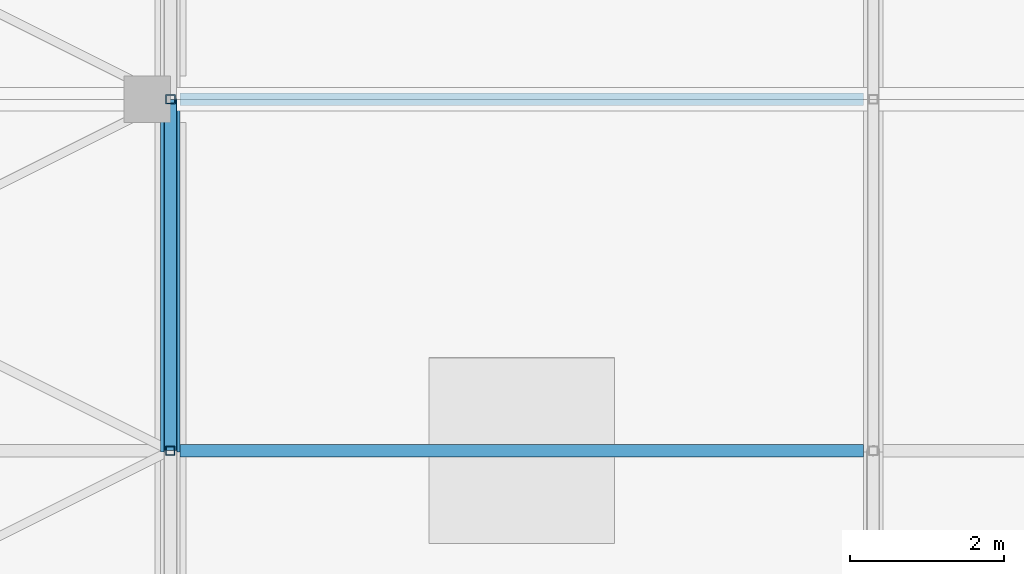
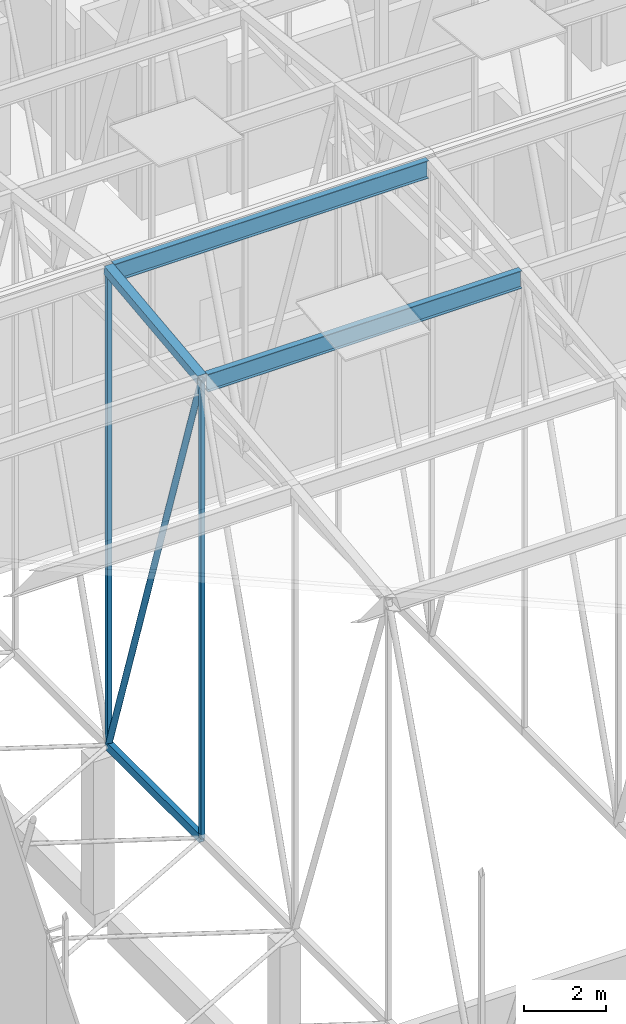
# One storey, part 70 of 500: 7 members.
"""IFC4 building model written with IfcOpenShell, lengths in metres."""

from ifc_helpers import new_model, si_unit, direction, frame, origin, origin_2d, place, context, subcontext, project, spatial, hollow_rectangle, hollow_circle, i_section, extrude, material, material_profile, profile_set, type_object, element, save


model = new_model("IFC4")

# Units and contexts
model_context = context("Model", 3, precision=1e-05, world=origin(), true_north=direction((0.0, 1.0)))
body_context = subcontext(model_context, "Body", "Model", "MODEL_VIEW")
ifc_project = project(units=[si_unit("LENGTHUNIT", "METRE"), si_unit("AREAUNIT", "SQUARE_METRE"), si_unit("VOLUMEUNIT", "CUBIC_METRE"), si_unit("PLANEANGLEUNIT", "RADIAN"), si_unit("MASSUNIT", "GRAM", prefix="KILO")], contexts=[model_context])

# Site, building, storey
site_placement = place(None, origin())
site = spatial("IfcSite", under=ifc_project, at=site_placement, CompositionType="ELEMENT")
building_placement = place(site_placement, origin())
building = spatial("IfcBuilding", under=site, at=building_placement, Name="Shirokan Park Arena", CompositionType="ELEMENT")
storey_placement = place(building_placement, frame((0.0, 0.0, 29.1201171875)))
storey = spatial("IfcBuildingStorey", under=building, at=storey_placement, Name="L06", CompositionType="ELEMENT", Elevation=29.1201171875)

# Members
ifc_material_1 = material(Name="Steel ASTM A500 Grade C", Category="steel")
ifc_material_profile_1 = material_profile(ifc_material_1, hollow_rectangle(XDim=0.152099609375, YDim=0.25390625, WallThickness=0.009521484375, at=origin_2d()), Name="HSS254X152.4X9.5")
ifc_profile_set_1 = profile_set([ifc_material_profile_1], Name="Steel ASTM A500 Grade C")
member_type_1 = type_object("IfcMemberType", Name="Bottom chord HSS254X152.4X9.5", PredefinedType="CHORD", material=ifc_profile_set_1)
member_1_placement = place(storey_placement, frame((9.10009765625, 50.050048828125, 4.677001953125), z_axis=(0.0, 1.0, 0.0), x_axis=(-1.0, 0.0, 0.0)))
element("IfcMember", 1, at=member_1_placement, inside=storey, type_object=member_type_1, Name="Truss T02 bottom chord 14", PredefinedType="CHORD", context=body_context, shape_type="SweptSolid", body=[
    extrude(hollow_rectangle(XDim=0.152099609375, YDim=0.25390625, WallThickness=0.009521484375, at=origin_2d()), origin(), (0.0, 0.0, 1.0), 4.550048828125),
])
ifc_material_2 = material(Name="Steel ASTM A992", Category="steel")
ifc_material_profile_2 = material_profile(ifc_material_2, i_section(OverallWidth=0.166015625, OverallDepth=0.528076171875, WebThickness=0.009765625, FlangeThickness=0.013671875, at=origin_2d()), Name="W530X74")
ifc_profile_set_2 = profile_set([ifc_material_profile_2], Name="Steel ASTM A992")
member_type_2 = type_object("IfcMemberType", Name="Purlin W530X74", PredefinedType="PURLIN", material=ifc_profile_set_2)
for number, where, z_axis, x_axis, name in (
    (2, (9.22705078125, 50.050048828125, 18.205810546875), (1.0, 0.0, 0.0), (0.0, 1.0, 0.0), "Purlin 14 bay 2"),
    (3, (9.22705078125, 54.60009765625, 18.725830078125), (1.0, 0.0, 0.0), (0.0, 1.0, 0.0), "Purlin 15 bay 2"),
):
    element("IfcMember", number, at=place(storey_placement, frame(where, z_axis=z_axis, x_axis=x_axis)), inside=storey, type_object=member_type_2, Name=name, PredefinedType="PURLIN", context=body_context, shape_type="SweptSolid", body=[
        extrude(i_section(OverallWidth=0.166015625, OverallDepth=0.528076171875, WebThickness=0.009765625, FlangeThickness=0.013671875, at=origin_2d()), origin(), (0.0, 0.0, 1.0), 8.845947265625),
    ])
ifc_material_profile_3 = material_profile(ifc_material_1, hollow_rectangle(XDim=0.25390625, YDim=0.25390625, WallThickness=0.009521484375, at=origin_2d()), Name="HSS254X254X9.5")
ifc_profile_set_3 = profile_set([ifc_material_profile_3], Name="Steel ASTM A500 Grade C")
member_type_3 = type_object("IfcMemberType", Name="Top chord HSS254X254X9.5", PredefinedType="CHORD", material=ifc_profile_set_3)
member_2_placement = place(storey_placement, frame((9.10009765625, 50.050048828125, 18.3427734375), z_axis=(0.0, 0.993532328996, 0.113549598152), x_axis=(-1.0, 0.0, 0.0)))
element("IfcMember", 4, at=member_2_placement, inside=storey, type_object=member_type_3, Name="Truss T02 top chord 14", PredefinedType="CHORD", context=body_context, shape_type="SweptSolid", body=[
    extrude(hollow_rectangle(XDim=0.25390625, YDim=0.25390625, WallThickness=0.009521484375, at=origin_2d()), origin(), (0.0, 0.0, 1.0), 4.57958984375),
])
ifc_material_profile_4 = material_profile(ifc_material_1, hollow_circle(Radius=0.083984375, WallThickness=0.009521484375, at=origin_2d()), Name="HSS168.3X9.5")
ifc_profile_set_4 = profile_set([ifc_material_profile_4], Name="Steel ASTM A500 Grade C")
member_type_4 = type_object("IfcMemberType", Name="Truss diagonal HSS168.3X9.5", PredefinedType="BRACE", material=ifc_profile_set_4)
member_3_placement = place(storey_placement, frame((9.10009765625, 50.050048828125, 18.3427734375), z_axis=(0.0, 0.315902302102, -0.948791723998), x_axis=(-1.0, 0.0, 0.0)))
element("IfcMember", 5, at=member_3_placement, inside=storey, type_object=member_type_4, Name="Truss T02 diagonal 14", PredefinedType="BRACE", context=body_context, shape_type="SweptSolid", body=[
    extrude(hollow_circle(Radius=0.083984375, WallThickness=0.009521484375, at=origin_2d()), origin(), (0.0, 0.0, 1.0), 14.4033203125),
])
ifc_material_profile_5 = material_profile(ifc_material_1, hollow_rectangle(XDim=0.114013671875, YDim=0.114013671875, WallThickness=0.00634765625, at=origin_2d()), Name="HSS114.3X114.3X6.4")
ifc_profile_set_5 = profile_set([ifc_material_profile_5], Name="Steel ASTM A500 Grade C")
member_type_5 = type_object("IfcMemberType", Name="Truss post HSS114.3X114.3X6.4", PredefinedType="POST", material=ifc_profile_set_5)
member_4_placement = place(storey_placement, frame((9.10009765625, 50.050048828125, 4.677001953125), z_axis=(0.0, 0.0, 1.0), x_axis=(1.0, 0.0, 0.0)))
element("IfcMember", 6, at=member_4_placement, inside=storey, type_object=member_type_5, Name="Truss T02 post 14", PredefinedType="POST", context=body_context, shape_type="SweptSolid", body=[
    extrude(hollow_rectangle(XDim=0.114013671875, YDim=0.114013671875, WallThickness=0.00634765625, at=origin_2d()), origin(), (0.0, 0.0, 1.0), 13.665771484375),
])
ifc_material_profile_6 = material_profile(ifc_material_1, hollow_rectangle(XDim=0.126953125, YDim=0.126953125, WallThickness=0.0126953125, at=origin_2d()), Name="HSS127X127X12.7")
ifc_profile_set_6 = profile_set([ifc_material_profile_6], Name="Steel ASTM A500 Grade C")
member_type_6 = type_object("IfcMemberType", Name="Truss post HSS127X127X12.7", PredefinedType="POST", material=ifc_profile_set_6)
member_5_placement = place(storey_placement, frame((9.10009765625, 54.60009765625, 4.677001953125), z_axis=(0.0, 0.0, 1.0), x_axis=(1.0, 0.0, 0.0)))
element("IfcMember", 7, at=member_5_placement, inside=storey, type_object=member_type_6, Name="Truss T02 post 15", PredefinedType="POST", context=body_context, shape_type="SweptSolid", body=[
    extrude(hollow_rectangle(XDim=0.126953125, YDim=0.126953125, WallThickness=0.0126953125, at=origin_2d()), origin(), (0.0, 0.0, 1.0), 14.185791015625),
])

save(model, "model.ifc")
